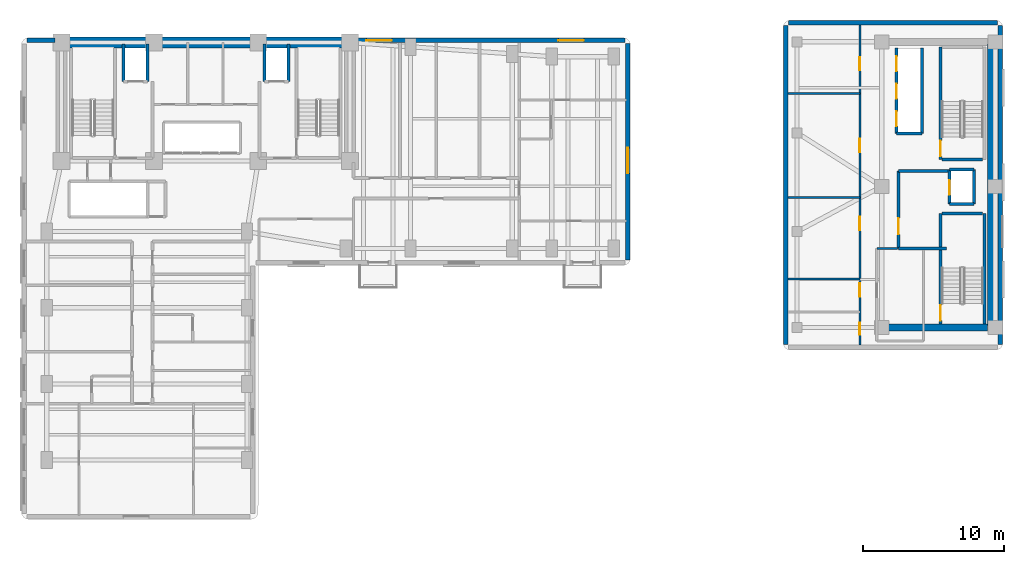
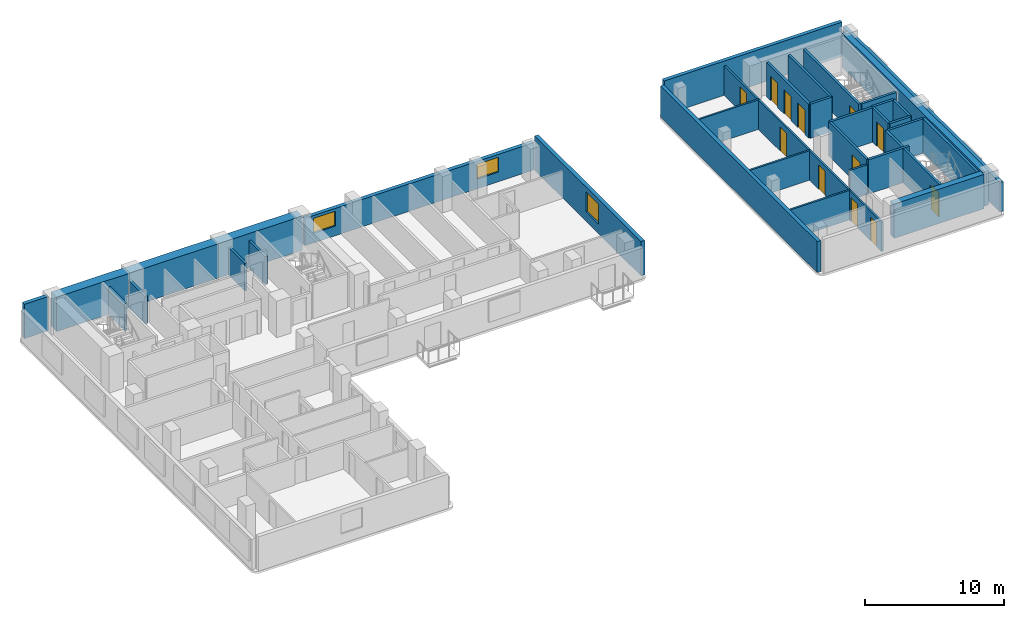
# One storey, part 6 of 10: 33 walls, 12 doors, 3 windows, 15 openings.
"""IFC4 building model written with IfcOpenShell, lengths in metres."""

from ifc_helpers import new_model, si_unit, direction, frame, frame_2d, origin, place, context, subcontext, project, spatial, rectangle, extrude, material, layer, layer_set, type_object, element, fill, save


model = new_model("IFC4")

# Units and contexts
model_context = context("Model", 3, precision=1e-05, world=origin(), true_north=direction((0.0, 1.0)))
body_context = subcontext(model_context, "Body", "Model", "MODEL_VIEW")
ifc_project = project(units=[si_unit("LENGTHUNIT", "METRE"), si_unit("AREAUNIT", "SQUARE_METRE"), si_unit("VOLUMEUNIT", "CUBIC_METRE"), si_unit("PLANEANGLEUNIT", "RADIAN"), si_unit("MASSUNIT", "GRAM", prefix="KILO")], contexts=[model_context])

# Site, building, storey
site_placement = place(None, origin())
site = spatial("IfcSite", under=ifc_project, at=site_placement, CompositionType="ELEMENT")
building_placement = place(site_placement, origin())
building = spatial("IfcBuilding", under=site, at=building_placement, Name="Kuzgunbayir Cultural Tower", CompositionType="ELEMENT")
storey_placement = place(building_placement, frame((0.0, 0.0, 93.0)))
storey = spatial("IfcBuildingStorey", under=building, at=storey_placement, Name="L26", CompositionType="ELEMENT", Elevation=93.0)

# Walls
ifc_material_1 = material(Name="Concrete C60/75", Category="concrete")
ifc_layer_1 = layer(ifc_material_1, 0.800048828125)
ifc_layer_set_1 = layer_set([ifc_layer_1], Name="Concrete C60/75")
wall_type_1 = type_object("IfcWallType", Name="WAL-CORE-800", PredefinedType="SHEAR", material=ifc_layer_set_1)
wall_1_placement = place(storey_placement, frame((6.449951171875, 42.199951171875, 0.0), z_axis=(0.0, 0.0, 1.0), x_axis=(1.0, 0.0, 0.0)))
element("IfcWall", 1, at=wall_1_placement, inside=storey, type_object=wall_type_1, Name="L26 T1 Core North Shear Wall", PredefinedType="SHEAR", context=body_context, shape_type="SweptSolid", body=[
    extrude(rectangle(XDim=20.449951171875, YDim=0.800048828125, at=frame_2d((10.22509765625, 0.0))), origin(), (0.0, 0.0, 1.0), 3.02001953125),
])
ifc_material_2 = material(Name="Anatolian Cream Limestone", Category="masonry")
ifc_layer_2 = layer(ifc_material_2, 0.300048828125)
ifc_layer_set_2 = layer_set([ifc_layer_2], Name="Anatolian Cream Limestone")
wall_type_2 = type_object("IfcWallType", Name="WAL-EXT-STONE-300", PredefinedType="STANDARD", material=ifc_layer_set_2)
wall_2_placement = place(storey_placement, frame((57.800048828125, 43.39990234375, 0.0), z_axis=(0.0, 0.0, 1.0), x_axis=(0.0, -1.0, 0.0)))
element("IfcWall", 2, at=wall_2_placement, inside=storey, type_object=wall_type_2, Name="L26 Companion West Limestone Wall", PredefinedType="STANDARD", context=body_context, shape_type="SweptSolid", body=[
    extrude(rectangle(XDim=22.599853515625, YDim=0.300048828125, at=frame_2d((11.2998046875, 0.0))), origin(), (0.0, 0.0, 1.0), 2.72998046875),
])
wall_3_placement = place(storey_placement, frame((73.0, 20.800048828125, 0.0), z_axis=(0.0, 0.0, 1.0), x_axis=(0.0, 1.0, 0.0)))
element("IfcWall", 3, at=wall_3_placement, inside=storey, type_object=wall_type_2, Name="L26 Companion East Limestone Wall", PredefinedType="STANDARD", context=body_context, shape_type="SweptSolid", body=[
    extrude(rectangle(XDim=22.599853515625, YDim=0.300048828125, at=frame_2d((11.2998046875, 0.0))), origin(), (0.0, 0.0, 1.0), 2.60009765625),
])
wall_4_placement = place(storey_placement, frame((72.800048828125, 43.60009765625, 0.0), z_axis=(0.0, 0.0, 1.0), x_axis=(-1.0, 0.0, 0.0)))
element("IfcWall", 4, at=wall_4_placement, inside=storey, type_object=wall_type_2, Name="L26 Companion North Limestone Wall", PredefinedType="STANDARD", context=body_context, shape_type="SweptSolid", body=[
    extrude(rectangle(XDim=14.800048828125, YDim=0.300048828125, at=frame_2d((7.39990234375, 0.0))), origin(), (0.0, 0.0, 1.0), 3.02001953125),
])

# Wall, openings, windows
ifc_material_3 = material(Name="Travertine Buff Ashlar", Category="masonry")
ifc_layer_3 = layer(ifc_material_3, 0.320068359375)
ifc_layer_set_3 = layer_set([ifc_layer_3], Name="Travertine Buff Ashlar")
wall_type_3 = type_object("IfcWallType", Name="WAL-EXT-STONE-320", PredefinedType="STANDARD", material=ifc_layer_set_3)
wall_5_placement = place(storey_placement, frame((46.39990234375, 42.35009765625, 0.0), z_axis=(0.0, 0.0, 1.0), x_axis=(-1.0, 0.0, 0.0)))
wall_5 = element("IfcWall", 5, at=wall_5_placement, inside=storey, type_object=wall_type_3, Name="L26 North Wing B Limestone Wall", PredefinedType="STANDARD", context=body_context, shape_type="SweptSolid", body=[
    extrude(rectangle(XDim=19.0498046875, YDim=0.320068359375, at=frame_2d((9.52490234375, 0.0))), origin(), (0.0, 0.0, 1.0), 2.409912109375),
])
opening_1_placement = place(wall_5_placement, frame((2.919921875, 0.0, 0.85009765625)))
opening_1 = element("IfcOpeningElement", 6, at=opening_1_placement, cuts=wall_5, Name="Opening WH-18", PredefinedType="OPENING", context=body_context, shape_type="SweptSolid", body=[
    extrude(rectangle(XDim=1.800048828125, YDim=1.31005859375, at=frame_2d((0.89990234375, 0.655029296875))), frame((0.0, 0.169921875, 0.0), z_axis=(0.0, -1.0, 0.0), x_axis=(1.0, 0.0, 0.0)), (0.0, 0.0, 1.0), 0.340087890625),
])
opening_2_placement = place(wall_5_placement, frame((16.530029296875, 0.0, 0.85009765625)))
opening_2 = element("IfcOpeningElement", 7, at=opening_2_placement, cuts=wall_5, Name="Opening WH-18", PredefinedType="OPENING", context=body_context, shape_type="SweptSolid", body=[
    extrude(rectangle(XDim=1.800048828125, YDim=1.31005859375, at=frame_2d((0.89990234375, 0.655029296875))), frame((0.0, 0.169921875, 0.0), z_axis=(0.0, -1.0, 0.0), x_axis=(1.0, 0.0, 0.0)), (0.0, 0.0, 1.0), 0.340087890625),
])
ifc_material_4 = material(Name="Solar-Control Triple Glazing", Category="glass")
window_type = type_object("IfcWindowType", Name="WIN-HOTEL-18", PartitioningType="SINGLE_PANEL", PredefinedType="WINDOW", material=ifc_material_4)
window_1_placement = place(opening_1_placement, origin())
window_1 = element("IfcWindow", 8, at=window_1_placement, inside=storey, type_object=window_type, Name="L26 CRN Facade Window 9", OverallHeight=1.31005859375, OverallWidth=1.800048828125, PartitioningType="SINGLE_PANEL", PredefinedType="WINDOW", context=body_context, shape_type="SweptSolid", body=[
    extrude(rectangle(XDim=1.800048828125, YDim=1.31005859375, at=frame_2d((0.89990234375, 0.655029296875))), frame((0.0, 0.030029296875, 0.0), z_axis=(0.0, -1.0, 0.0), x_axis=(1.0, 0.0, 0.0)), (0.0, 0.0, 1.0), 0.06005859375),
])
fill(opening_1, window_1)
window_2_placement = place(opening_2_placement, origin())
window_2 = element("IfcWindow", 9, at=window_2_placement, inside=storey, type_object=window_type, Name="L26 CRN Facade Window 10", OverallHeight=1.31005859375, OverallWidth=1.800048828125, PartitioningType="SINGLE_PANEL", PredefinedType="WINDOW", context=body_context, shape_type="SweptSolid", body=[
    extrude(rectangle(XDim=1.800048828125, YDim=1.31005859375, at=frame_2d((0.89990234375, 0.655029296875))), frame((0.0, 0.030029296875, 0.0), z_axis=(0.0, -1.0, 0.0), x_axis=(1.0, 0.0, 0.0)), (0.0, 0.0, 1.0), 0.06005859375),
])
fill(opening_2, window_2)

# Wall
wall_6_placement = place(storey_placement, frame((6.0, 42.35009765625, 0.0), z_axis=(0.0, 0.0, 1.0), x_axis=(-1.0, 0.0, 0.0)))
element("IfcWall", 10, at=wall_6_placement, inside=storey, type_object=wall_type_3, Name="L26 Core North-West Spandrel Link", PredefinedType="STANDARD", context=body_context, shape_type="SweptSolid", body=[
    extrude(rectangle(XDim=2.0, YDim=0.320068359375, at=frame_2d((1.0, 0.0))), origin(), (0.0, 0.0, 1.0), 3.02001953125),
])

# Wall, opening, window
wall_7_placement = place(storey_placement, frame((46.60009765625, 26.800048828125, 0.0), z_axis=(0.0, 0.0, 1.0), x_axis=(0.0, 1.0, 0.0)))
wall_7 = element("IfcWall", 11, at=wall_7_placement, inside=storey, type_object=wall_type_3, Name="L26 Wing B East Limestone Wall", PredefinedType="STANDARD", context=body_context, shape_type="SweptSolid", body=[
    extrude(rectangle(XDim=15.349853515625, YDim=0.320068359375, at=frame_2d((7.6748046875, 0.0))), origin(), (0.0, 0.0, 1.0), 3.02001953125),
])
opening_3_placement = place(wall_7_placement, frame((6.1298828125, 0.0, 0.85009765625)))
opening_3 = element("IfcOpeningElement", 12, at=opening_3_placement, cuts=wall_7, Name="Opening WH-18", PredefinedType="OPENING", context=body_context, shape_type="SweptSolid", body=[
    extrude(rectangle(XDim=1.800048828125, YDim=1.75, at=frame_2d((0.89990234375, 0.875))), frame((0.0, 0.169921875, 0.0), z_axis=(0.0, -1.0, 0.0), x_axis=(1.0, 0.0, 0.0)), (0.0, 0.0, 1.0), 0.340087890625),
])
window_3_placement = place(opening_3_placement, origin())
window_3 = element("IfcWindow", 13, at=window_3_placement, inside=storey, type_object=window_type, Name="L26 WBE Facade Window 8", OverallHeight=1.75, OverallWidth=1.800048828125, PartitioningType="SINGLE_PANEL", PredefinedType="WINDOW", context=body_context, shape_type="SweptSolid", body=[
    extrude(rectangle(XDim=1.800048828125, YDim=1.75, at=frame_2d((0.89990234375, 0.875))), frame((0.0, 0.030029296875, 0.0), z_axis=(0.0, -1.0, 0.0), x_axis=(1.0, 0.0, 0.0)), (0.0, 0.0, 1.0), 0.06005859375),
])
fill(opening_3, window_3)

# Wall
ifc_material_5 = material(Name="Acoustic Double-Stud Drywall", Category="gypsum")
ifc_layer_4 = layer(ifc_material_5, 0.14990234375)
ifc_layer_set_4 = layer_set([ifc_layer_4], Name="Acoustic Double-Stud Drywall")
wall_type_4 = type_object("IfcWallType", Name="WAL-PART-ACOUSTIC-150", PredefinedType="PARTITIONING", material=ifc_layer_set_4)
wall_8_placement = place(storey_placement, frame((64.25, 27.60009765625, 0.0), z_axis=(0.0, 0.0, 1.0), x_axis=(1.0, 0.0, 0.0)))
element("IfcWall", 14, at=wall_8_placement, inside=storey, type_object=wall_type_4, Name="L26 Companion Archive North Wall", PredefinedType="PARTITIONING", context=body_context, shape_type="SweptSolid", body=[
    extrude(rectangle(XDim=1.469970703125, YDim=0.14990234375, at=frame_2d((0.73486328125, 0.0))), origin(), (0.0, 0.0, 1.0), 2.60009765625),
])

# Wall, openings, doors
wall_9_placement = place(storey_placement, frame((63.050048828125, 20.75, 0.0), z_axis=(0.0, 0.0, 1.0), x_axis=(0.0, 1.0, 0.0)))
wall_9 = element("IfcWall", 15, at=wall_9_placement, inside=storey, type_object=wall_type_4, Name="L26 Companion Corridor West Wall", PredefinedType="PARTITIONING", context=body_context, shape_type="SweptSolid", body=[
    extrude(rectangle(XDim=22.699951171875, YDim=0.14990234375, at=frame_2d((11.35009765625, 0.0))), origin(), (0.0, 0.0, 1.0), 2.60009765625),
])
opening_4_placement = place(wall_9_placement, frame((0.72998046875, 0.0, 0.0)))
opening_4 = element("IfcOpeningElement", 16, at=opening_4_placement, cuts=wall_9, Name="Opening DW-85", PredefinedType="OPENING", context=body_context, shape_type="SweptSolid", body=[
    extrude(rectangle(XDim=0.85009765625, YDim=2.10009765625, at=frame_2d((0.425048828125, 1.050048828125))), frame((0.0, 0.0849609375, 0.0), z_axis=(0.0, -1.0, 0.0), x_axis=(1.0, 0.0, 0.0)), (0.0, 0.0, 1.0), 0.169921875),
])
opening_5_placement = place(wall_9_placement, frame((3.429931640625, 0.0, 0.0)))
opening_5 = element("IfcOpeningElement", 17, at=opening_5_placement, cuts=wall_9, Name="Opening DW-95", PredefinedType="OPENING", context=body_context, shape_type="SweptSolid", body=[
    extrude(rectangle(XDim=0.949951171875, YDim=2.10009765625, at=frame_2d((0.47509765625, 1.050048828125))), frame((0.0, 0.0849609375, 0.0), z_axis=(0.0, -1.0, 0.0), x_axis=(1.0, 0.0, 0.0)), (0.0, 0.0, 1.0), 0.169921875),
])
opening_6_placement = place(wall_9_placement, frame((8.14990234375, 0.0, 0.0)))
opening_6 = element("IfcOpeningElement", 18, at=opening_6_placement, cuts=wall_9, Name="Opening DI-90", PredefinedType="OPENING", context=body_context, shape_type="SweptSolid", body=[
    extrude(rectangle(XDim=0.949951171875, YDim=2.14990234375, at=frame_2d((0.47509765625, 1.074951171875))), frame((0.0, 0.0849609375, 0.0), z_axis=(0.0, -1.0, 0.0), x_axis=(1.0, 0.0, 0.0)), (0.0, 0.0, 1.0), 0.169921875),
])
opening_7_placement = place(wall_9_placement, frame((13.669921875, 0.0, 0.0)))
opening_7 = element("IfcOpeningElement", 19, at=opening_7_placement, cuts=wall_9, Name="Opening DI-90", PredefinedType="OPENING", context=body_context, shape_type="SweptSolid", body=[
    extrude(rectangle(XDim=0.949951171875, YDim=2.14990234375, at=frame_2d((0.47509765625, 1.074951171875))), frame((0.0, 0.0849609375, 0.0), z_axis=(0.0, -1.0, 0.0), x_axis=(1.0, 0.0, 0.0)), (0.0, 0.0, 1.0), 0.169921875),
])
opening_8_placement = place(wall_9_placement, frame((19.469970703125, 0.0, 0.0)))
opening_8 = element("IfcOpeningElement", 20, at=opening_8_placement, cuts=wall_9, Name="Opening DI-90", PredefinedType="OPENING", context=body_context, shape_type="SweptSolid", body=[
    extrude(rectangle(XDim=0.949951171875, YDim=2.14990234375, at=frame_2d((0.47509765625, 1.074951171875))), frame((0.0, 0.0849609375, 0.0), z_axis=(0.0, -1.0, 0.0), x_axis=(1.0, 0.0, 0.0)), (0.0, 0.0, 1.0), 0.169921875),
])
ifc_material_6 = material(Name="Veneered Oak Single Leaf", Category="wood")
door_type_1 = type_object("IfcDoorType", Name="DR-INT-90", OperationType="NOTDEFINED", PredefinedType="DOOR", material=ifc_material_6)
door_1_placement = place(opening_6_placement, origin())
door_1 = element("IfcDoor", 21, at=door_1_placement, inside=storey, type_object=door_type_1, Name="L26 Companion Wellness Consultation Studio 1 Door", OperationType="SINGLE_SWING_LEFT", OverallHeight=2.14990234375, OverallWidth=0.949951171875, PredefinedType="DOOR", context=body_context, shape_type="SweptSolid", body=[
    extrude(rectangle(XDim=0.949951171875, YDim=2.14990234375, at=frame_2d((0.47509765625, 1.074951171875))), frame((0.0, 0.02490234375, 0.0), z_axis=(0.0, -1.0, 0.0), x_axis=(1.0, 0.0, 0.0)), (0.0, 0.0, 1.0), 0.050048828125),
])
fill(opening_6, door_1)
door_2_placement = place(opening_7_placement, origin())
door_2 = element("IfcDoor", 22, at=door_2_placement, inside=storey, type_object=door_type_1, Name="L26 Companion Fellows Reading Lounge 2 Door", OperationType="SINGLE_SWING_RIGHT", OverallHeight=2.14990234375, OverallWidth=0.949951171875, PredefinedType="DOOR", context=body_context, shape_type="SweptSolid", body=[
    extrude(rectangle(XDim=0.949951171875, YDim=2.14990234375, at=frame_2d((0.47509765625, 1.074951171875))), frame((0.0, 0.02490234375, 0.0), z_axis=(0.0, -1.0, 0.0), x_axis=(1.0, 0.0, 0.0)), (0.0, 0.0, 1.0), 0.050048828125),
])
fill(opening_7, door_2)
door_3_placement = place(opening_8_placement, origin())
door_3 = element("IfcDoor", 23, at=door_3_placement, inside=storey, type_object=door_type_1, Name="L26 Companion Curatorial Office 3 Door", OperationType="SINGLE_SWING_LEFT", OverallHeight=2.14990234375, OverallWidth=0.949951171875, PredefinedType="DOOR", context=body_context, shape_type="SweptSolid", body=[
    extrude(rectangle(XDim=0.949951171875, YDim=2.14990234375, at=frame_2d((0.47509765625, 1.074951171875))), frame((0.0, 0.02490234375, 0.0), z_axis=(0.0, -1.0, 0.0), x_axis=(1.0, 0.0, 0.0)), (0.0, 0.0, 1.0), 0.050048828125),
])
fill(opening_8, door_3)
ifc_material_7 = material(Name="Laminate Moisture-Resistant Leaf", Category="wood")
door_type_2 = type_object("IfcDoorType", Name="DR-WET-85", OperationType="NOTDEFINED", PredefinedType="DOOR", material=ifc_material_7)
door_4_placement = place(opening_4_placement, origin())
door_4 = element("IfcDoor", 24, at=door_4_placement, inside=storey, type_object=door_type_2, Name="L26 Companion WC Door", OperationType="SINGLE_SWING_LEFT", OverallHeight=2.10009765625, OverallWidth=0.85009765625, PredefinedType="DOOR", context=body_context, shape_type="SweptSolid", body=[
    extrude(rectangle(XDim=0.85009765625, YDim=2.10009765625, at=frame_2d((0.425048828125, 1.050048828125))), frame((0.0, 0.02490234375, 0.0), z_axis=(0.0, -1.0, 0.0), x_axis=(1.0, 0.0, 0.0)), (0.0, 0.0, 1.0), 0.050048828125),
])
fill(opening_4, door_4)
door_type_3 = type_object("IfcDoorType", Name="DR-WET-95", OperationType="NOTDEFINED", PredefinedType="DOOR", material=ifc_material_7)
door_5_placement = place(opening_5_placement, origin())
door_5 = element("IfcDoor", 25, at=door_5_placement, inside=storey, type_object=door_type_3, Name="L26 Companion Accessible WC Door", OperationType="SINGLE_SWING_RIGHT", OverallHeight=2.10009765625, OverallWidth=0.949951171875, PredefinedType="DOOR", context=body_context, shape_type="SweptSolid", body=[
    extrude(rectangle(XDim=0.949951171875, YDim=2.10009765625, at=frame_2d((0.47509765625, 1.050048828125))), frame((0.0, 0.02490234375, 0.0), z_axis=(0.0, -1.0, 0.0), x_axis=(1.0, 0.0, 0.0)), (0.0, 0.0, 1.0), 0.050048828125),
])
fill(opening_5, door_5)

# Walls
for number, where, z_axis, x_axis, name in (
    (26, (57.949951171875, 31.2099609375, 0.0), (0.0, 0.0, 1.0), (1.0, 0.0, 0.0), "L26 Companion Studio Partition 1"),
    (27, (57.949951171875, 38.590087890625, 0.0), (0.0, 0.0, 1.0), (1.0, 0.0, 0.0), "L26 Companion Studio Partition 2"),
):
    element("IfcWall", number, at=place(storey_placement, frame(where, z_axis=z_axis, x_axis=x_axis)), inside=storey, type_object=wall_type_4, Name=name, PredefinedType="PARTITIONING", context=body_context, shape_type="SweptSolid", body=[
        extrude(rectangle(XDim=5.10009765625, YDim=0.14990234375, at=frame_2d((2.550048828125, 0.0))), origin(), (0.0, 0.0, 1.0), 2.60009765625),
    ])

# Wall, opening, door
ifc_material_8 = material(Name="Aerated Concrete Blockwork", Category="masonry")
ifc_layer_5 = layer(ifc_material_8, 0.199951171875)
ifc_layer_set_5 = layer_set([ifc_layer_5], Name="Aerated Concrete Blockwork")
wall_type_5 = type_object("IfcWallType", Name="WAL-PART-FIRE-200", PredefinedType="PARTITIONING", material=ifc_layer_set_5)
wall_10_placement = place(storey_placement, frame((65.800048828125, 27.60009765625, 0.0), z_axis=(0.0, 0.0, 1.0), x_axis=(0.0, 1.0, 0.0)))
wall_10 = element("IfcWall", 28, at=wall_10_placement, inside=storey, type_object=wall_type_5, Name="L26 FFL-3 Lobby West Fire Wall", PredefinedType="PARTITIONING", context=body_context, shape_type="SweptSolid", body=[
    extrude(rectangle(XDim=5.5, YDim=0.199951171875, at=frame_2d((2.75, 0.0))), origin(), (0.0, 0.0, 1.0), 3.02001953125),
])
opening_9_placement = place(wall_10_placement, frame((1.0, 0.0, 0.0)))
opening_9 = element("IfcOpeningElement", 29, at=opening_9_placement, cuts=wall_10, Name="Opening DR-FFL-90", PredefinedType="OPENING", context=body_context, shape_type="SweptSolid", body=[
    extrude(rectangle(XDim=1.14990234375, YDim=2.14990234375, at=frame_2d((0.574951171875, 1.074951171875))), frame((0.0, 0.10986328125, 0.0), z_axis=(0.0, -1.0, 0.0), x_axis=(1.0, 0.0, 0.0)), (0.0, 0.0, 1.0), 0.219970703125),
])
ifc_material_9 = material(Name="Steel S355J2", Category="steel")
door_type_4 = type_object("IfcDoorType", Name="DR-FFL-90", OperationType="NOTDEFINED", PredefinedType="DOOR", material=ifc_material_9)
door_6_placement = place(opening_9_placement, origin())
door_6 = element("IfcDoor", 30, at=door_6_placement, inside=storey, type_object=door_type_4, Name="L26 Firefighting Lobby 3 Door", OperationType="SINGLE_SWING_LEFT", OverallHeight=2.14990234375, OverallWidth=1.14990234375, PredefinedType="DOOR", context=body_context, shape_type="SweptSolid", body=[
    extrude(rectangle(XDim=1.14990234375, YDim=2.14990234375, at=frame_2d((0.574951171875, 1.074951171875))), frame((0.0, 0.02490234375, 0.0), z_axis=(0.0, -1.0, 0.0), x_axis=(1.0, 0.0, 0.0)), (0.0, 0.0, 1.0), 0.050048828125),
])
fill(opening_9, door_6)

# Walls
wall_11_placement = place(storey_placement, frame((65.800048828125, 33.10009765625, 0.0), z_axis=(0.0, 0.0, 1.0), x_axis=(1.0, 0.0, 0.0)))
element("IfcWall", 31, at=wall_11_placement, inside=storey, type_object=wall_type_5, Name="L26 FFL-3 Lobby North Fire Wall", PredefinedType="PARTITIONING", context=body_context, shape_type="SweptSolid", body=[
    extrude(rectangle(XDim=3.599853515625, YDim=0.199951171875, at=frame_2d((1.7998046875, 0.0))), origin(), (0.0, 0.0, 1.0), 3.02001953125),
])
wall_12_placement = place(storey_placement, frame((65.800048828125, 27.60009765625, 0.0), z_axis=(0.0, 0.0, 1.0), x_axis=(1.0, 0.0, 0.0)))
element("IfcWall", 32, at=wall_12_placement, inside=storey, type_object=wall_type_5, Name="L26 FFL-3 Lobby South Fire Wall", PredefinedType="PARTITIONING", context=body_context, shape_type="SweptSolid", body=[
    extrude(rectangle(XDim=3.39990234375, YDim=0.199951171875, at=frame_2d((1.699951171875, 0.0))), origin(), (0.0, 0.0, 1.0), 3.02001953125),
])
ifc_material_10 = material(Name="Moisture-Resistant Tile Partition", Category="gypsum")
ifc_layer_6 = layer(ifc_material_10, 0.14990234375)
ifc_layer_set_6 = layer_set([ifc_layer_6], Name="Moisture-Resistant Tile Partition")
wall_type_6 = type_object("IfcWallType", Name="WAL-PART-WET-150", PredefinedType="PARTITIONING", material=ifc_layer_set_6)
wall_13_placement = place(storey_placement, frame((57.949951171875, 25.449951171875, 0.0), z_axis=(0.0, 0.0, 1.0), x_axis=(1.0, 0.0, 0.0)))
element("IfcWall", 33, at=wall_13_placement, inside=storey, type_object=wall_type_6, Name="L26 Companion Accessible WC Wall", PredefinedType="PARTITIONING", context=body_context, shape_type="SweptSolid", body=[
    extrude(rectangle(XDim=5.10009765625, YDim=0.14990234375, at=frame_2d((2.550048828125, 0.0))), origin(), (0.0, 0.0, 1.0), 2.60009765625),
])
ifc_material_11 = material(Name="Concrete C40/50", Category="concrete")
ifc_layer_7 = layer(ifc_material_11, 0.199951171875)
ifc_layer_set_7 = layer_set([ifc_layer_7], Name="Concrete C40/50")
wall_type_7 = type_object("IfcWallType", Name="WAL-SHAFT-200", PredefinedType="MOVABLE", material=ifc_layer_set_7)
for number, where, z_axis, x_axis, name in (
    (34, (10.85009765625, 39.449951171875, 0.0), (0.0, 0.0, 1.0), (0.0, 1.0, 0.0), "L26 FFL-1 Shaft West Wall"),
    (35, (12.550048828125, 39.449951171875, 0.0), (0.0, 0.0, 1.0), (0.0, 1.0, 0.0), "L26 FFL-1 Shaft East Wall"),
    (36, (20.85009765625, 39.449951171875, 0.0), (0.0, 0.0, 1.0), (0.0, 1.0, 0.0), "L26 FFL-2 Shaft West Wall"),
    (37, (22.550048828125, 39.449951171875, 0.0), (0.0, 0.0, 1.0), (0.0, 1.0, 0.0), "L26 FFL-2 Shaft East Wall"),
):
    element("IfcWall", number, at=place(storey_placement, frame(where, z_axis=z_axis, x_axis=x_axis)), inside=storey, type_object=wall_type_7, Name=name, PredefinedType="MOVABLE", context=body_context, shape_type="SweptSolid", body=[
        extrude(rectangle(XDim=2.650146484375, YDim=0.199951171875, at=frame_2d((1.3251953125, 0.0))), origin(), (0.0, 0.0, 1.0), 2.409912109375),
    ])

# Wall, openings, doors
wall_14_placement = place(storey_placement, frame((65.64990234375, 35.75, 0.0), z_axis=(0.0, 0.0, 1.0), x_axis=(0.0, 1.0, 0.0)))
wall_14 = element("IfcWall", 38, at=wall_14_placement, inside=storey, type_object=wall_type_7, Name="L26 Companion Lift Front Wall", PredefinedType="MOVABLE", context=body_context, shape_type="SweptSolid", body=[
    extrude(rectangle(XDim=6.050048828125, YDim=0.199951171875, at=frame_2d((3.02490234375, 0.0))), origin(), (0.0, 0.0, 1.0), 3.02001953125),
])
opening_10_placement = place(wall_14_placement, frame((0.52001953125, 0.0, 0.0)))
opening_10 = element("IfcOpeningElement", 39, at=opening_10_placement, cuts=wall_14, Name="Opening LD", PredefinedType="OPENING", context=body_context, shape_type="SweptSolid", body=[
    extrude(rectangle(XDim=1.050048828125, YDim=2.14990234375, at=frame_2d((0.52490234375, 1.074951171875))), frame((0.0, 0.10986328125, 0.0), z_axis=(0.0, -1.0, 0.0), x_axis=(1.0, 0.0, 0.0)), (0.0, 0.0, 1.0), 0.219970703125),
])
opening_11_placement = place(wall_14_placement, frame((2.47998046875, 0.0, 0.0)))
opening_11 = element("IfcOpeningElement", 40, at=opening_11_placement, cuts=wall_14, Name="Opening LD", PredefinedType="OPENING", context=body_context, shape_type="SweptSolid", body=[
    extrude(rectangle(XDim=1.050048828125, YDim=2.14990234375, at=frame_2d((0.52490234375, 1.074951171875))), frame((0.0, 0.10986328125, 0.0), z_axis=(0.0, -1.0, 0.0), x_axis=(1.0, 0.0, 0.0)), (0.0, 0.0, 1.0), 0.219970703125),
])
opening_12_placement = place(wall_14_placement, frame((4.429931640625, 0.0, 0.0)))
opening_12 = element("IfcOpeningElement", 41, at=opening_12_placement, cuts=wall_14, Name="Opening LD", PredefinedType="OPENING", context=body_context, shape_type="SweptSolid", body=[
    extrude(rectangle(XDim=1.050048828125, YDim=2.14990234375, at=frame_2d((0.52490234375, 1.074951171875))), frame((0.0, 0.10986328125, 0.0), z_axis=(0.0, -1.0, 0.0), x_axis=(1.0, 0.0, 0.0)), (0.0, 0.0, 1.0), 0.219970703125),
])
ifc_material_12 = material(Name="Brushed Stainless Steel", Category="steel")
door_type_5 = type_object("IfcDoorType", Name="DR-LIFT-LANDING", OperationType="SLIDING_TO_LEFT", PredefinedType="DOOR", material=ifc_material_12)
door_7_placement = place(opening_10_placement, origin())
door_7 = element("IfcDoor", 42, at=door_7_placement, inside=storey, type_object=door_type_5, Name="L26 Lift PC-1 Landing Door", OperationType="SLIDING_TO_LEFT", OverallHeight=2.14990234375, OverallWidth=1.050048828125, PredefinedType="DOOR", context=body_context, shape_type="SweptSolid", body=[
    extrude(rectangle(XDim=1.050048828125, YDim=2.14990234375, at=frame_2d((0.52490234375, 1.074951171875))), frame((0.0, 0.02490234375, 0.0), z_axis=(0.0, -1.0, 0.0), x_axis=(1.0, 0.0, 0.0)), (0.0, 0.0, 1.0), 0.050048828125),
])
fill(opening_10, door_7)
door_8_placement = place(opening_11_placement, origin())
door_8 = element("IfcDoor", 43, at=door_8_placement, inside=storey, type_object=door_type_5, Name="L26 Lift PC-2 Landing Door", OperationType="SLIDING_TO_LEFT", OverallHeight=2.14990234375, OverallWidth=1.050048828125, PredefinedType="DOOR", context=body_context, shape_type="SweptSolid", body=[
    extrude(rectangle(XDim=1.050048828125, YDim=2.14990234375, at=frame_2d((0.52490234375, 1.074951171875))), frame((0.0, 0.02490234375, 0.0), z_axis=(0.0, -1.0, 0.0), x_axis=(1.0, 0.0, 0.0)), (0.0, 0.0, 1.0), 0.050048828125),
])
fill(opening_11, door_8)
door_9_placement = place(opening_12_placement, origin())
door_9 = element("IfcDoor", 44, at=door_9_placement, inside=storey, type_object=door_type_5, Name="L26 Lift PC-3 Landing Door", OperationType="SLIDING_TO_LEFT", OverallHeight=2.14990234375, OverallWidth=1.050048828125, PredefinedType="DOOR", context=body_context, shape_type="SweptSolid", body=[
    extrude(rectangle(XDim=1.050048828125, YDim=2.14990234375, at=frame_2d((0.52490234375, 1.074951171875))), frame((0.0, 0.02490234375, 0.0), z_axis=(0.0, -1.0, 0.0), x_axis=(1.0, 0.0, 0.0)), (0.0, 0.0, 1.0), 0.050048828125),
])
fill(opening_12, door_9)

# Walls
wall_15_placement = place(storey_placement, frame((67.449951171875, 35.75, 0.0), z_axis=(0.0, 0.0, 1.0), x_axis=(0.0, 1.0, 0.0)))
element("IfcWall", 45, at=wall_15_placement, inside=storey, type_object=wall_type_7, Name="L26 Companion Lift Shaft Back Wall", PredefinedType="MOVABLE", context=body_context, shape_type="SweptSolid", body=[
    extrude(rectangle(XDim=6.050048828125, YDim=0.199951171875, at=frame_2d((3.02490234375, 0.0))), origin(), (0.0, 0.0, 1.0), 3.02001953125),
])
wall_16_placement = place(storey_placement, frame((65.64990234375, 35.75, 0.0), z_axis=(0.0, 0.0, 1.0), x_axis=(1.0, 0.0, 0.0)))
element("IfcWall", 46, at=wall_16_placement, inside=storey, type_object=wall_type_7, Name="L26 Companion Lift Shaft South Wall", PredefinedType="MOVABLE", context=body_context, shape_type="SweptSolid", body=[
    extrude(rectangle(XDim=1.800048828125, YDim=0.199951171875, at=frame_2d((0.89990234375, 0.0))), origin(), (0.0, 0.0, 1.0), 3.02001953125),
])

# Wall, opening, door
wall_17_placement = place(storey_placement, frame((69.39990234375, 30.75, 0.0), z_axis=(0.0, 0.0, 1.0), x_axis=(0.0, 1.0, 0.0)))
wall_17 = element("IfcWall", 47, at=wall_17_placement, inside=storey, type_object=wall_type_7, Name="L26 FFL-3 Lift Front Wall", PredefinedType="MOVABLE", context=body_context, shape_type="SweptSolid", body=[
    extrude(rectangle(XDim=2.449951171875, YDim=0.199951171875, at=frame_2d((1.22509765625, 0.0))), origin(), (0.0, 0.0, 1.0), 3.02001953125),
])
opening_13_placement = place(wall_17_placement, frame((0.64990234375, 0.0, 0.0)))
opening_13 = element("IfcOpeningElement", 48, at=opening_13_placement, cuts=wall_17, Name="Opening LD", PredefinedType="OPENING", context=body_context, shape_type="SweptSolid", body=[
    extrude(rectangle(XDim=1.050048828125, YDim=2.14990234375, at=frame_2d((0.52490234375, 1.074951171875))), frame((0.0, 0.10986328125, 0.0), z_axis=(0.0, -1.0, 0.0), x_axis=(1.0, 0.0, 0.0)), (0.0, 0.0, 1.0), 0.219970703125),
])
door_10_placement = place(opening_13_placement, origin())
door_10 = element("IfcDoor", 49, at=door_10_placement, inside=storey, type_object=door_type_5, Name="L26 Lift FFL-3 Landing Door", OperationType="SLIDING_TO_LEFT", OverallHeight=2.14990234375, OverallWidth=1.050048828125, PredefinedType="DOOR", context=body_context, shape_type="SweptSolid", body=[
    extrude(rectangle(XDim=1.050048828125, YDim=2.14990234375, at=frame_2d((0.52490234375, 1.074951171875))), frame((0.0, 0.02490234375, 0.0), z_axis=(0.0, -1.0, 0.0), x_axis=(1.0, 0.0, 0.0)), (0.0, 0.0, 1.0), 0.050048828125),
])
fill(opening_13, door_10)

# Walls
wall_18_placement = place(storey_placement, frame((71.14990234375, 30.75, 0.0), z_axis=(0.0, 0.0, 1.0), x_axis=(0.0, 1.0, 0.0)))
element("IfcWall", 50, at=wall_18_placement, inside=storey, type_object=wall_type_7, Name="L26 FFL-3 Shaft Back Wall", PredefinedType="MOVABLE", context=body_context, shape_type="SweptSolid", body=[
    extrude(rectangle(XDim=2.449951171875, YDim=0.199951171875, at=frame_2d((1.22509765625, 0.0))), origin(), (0.0, 0.0, 1.0), 3.02001953125),
])
for number, where, z_axis, x_axis, name in (
    (51, (69.39990234375, 33.199951171875, 0.0), (0.0, 0.0, 1.0), (1.0, 0.0, 0.0), "L26 FFL-3 Shaft North Wall"),
    (52, (69.39990234375, 30.75, 0.0), (0.0, 0.0, 1.0), (1.0, 0.0, 0.0), "L26 FFL-3 Shaft South Wall"),
):
    element("IfcWall", number, at=place(storey_placement, frame(where, z_axis=z_axis, x_axis=x_axis)), inside=storey, type_object=wall_type_7, Name=name, PredefinedType="MOVABLE", context=body_context, shape_type="SweptSolid", body=[
        extrude(rectangle(XDim=1.75, YDim=0.199951171875, at=frame_2d((0.875, 0.0))), origin(), (0.0, 0.0, 1.0), 3.02001953125),
    ])

# Wall, opening, door
ifc_layer_8 = layer(ifc_material_11, 0.199951171875)
ifc_layer_set_8 = layer_set([ifc_layer_8], Name="Concrete C40/50")
wall_type_8 = type_object("IfcWallType", Name="WAL-STAIR-RC-200", PredefinedType="SHEAR", material=ifc_layer_set_8)
wall_19_placement = place(storey_placement, frame((68.760009765625, 22.260009765625, 0.0), z_axis=(0.0, 0.0, 1.0), x_axis=(0.0, 1.0, 0.0)))
wall_19 = element("IfcWall", 53, at=wall_19_placement, inside=storey, type_object=wall_type_8, Name="L26 Stair ST-3 West Structural Wall", PredefinedType="SHEAR", context=body_context, shape_type="SweptSolid", body=[
    extrude(rectangle(XDim=7.820068359375, YDim=0.199951171875, at=frame_2d((3.91015625, 0.0))), origin(), (0.0, 0.0, 1.0), 3.02001953125),
])
opening_14_placement = place(wall_19_placement, frame((0.219970703125, 0.0, 0.0)))
opening_14 = element("IfcOpeningElement", 54, at=opening_14_placement, cuts=wall_19, Name="Opening DR-STAIR-90", PredefinedType="OPENING", context=body_context, shape_type="SweptSolid", body=[
    extrude(rectangle(XDim=1.10009765625, YDim=2.14990234375, at=frame_2d((0.550048828125, 1.074951171875))), frame((0.0, 0.10986328125, 0.0), z_axis=(0.0, -1.0, 0.0), x_axis=(1.0, 0.0, 0.0)), (0.0, 0.0, 1.0), 0.219970703125),
])
door_type_6 = type_object("IfcDoorType", Name="DR-STAIR-90", OperationType="NOTDEFINED", PredefinedType="DOOR", material=ifc_material_9)
door_11_placement = place(opening_14_placement, origin())
door_11 = element("IfcDoor", 55, at=door_11_placement, inside=storey, type_object=door_type_6, Name="L26 Stair ST-3 Fire Door", OperationType="SINGLE_SWING_RIGHT", OverallHeight=2.14990234375, OverallWidth=1.10009765625, PredefinedType="DOOR", context=body_context, shape_type="SweptSolid", body=[
    extrude(rectangle(XDim=1.10009765625, YDim=2.14990234375, at=frame_2d((0.550048828125, 1.074951171875))), frame((0.0, 0.02490234375, 0.0), z_axis=(0.0, -1.0, 0.0), x_axis=(1.0, 0.0, 0.0)), (0.0, 0.0, 1.0), 0.050048828125),
])
fill(opening_14, door_11)

# Walls
wall_20_placement = place(storey_placement, frame((71.8798828125, 22.260009765625, 0.0), z_axis=(0.0, 0.0, 1.0), x_axis=(0.0, 1.0, 0.0)))
element("IfcWall", 56, at=wall_20_placement, inside=storey, type_object=wall_type_8, Name="L26 Stair ST-3 East Structural Wall", PredefinedType="SHEAR", context=body_context, shape_type="SweptSolid", body=[
    extrude(rectangle(XDim=7.820068359375, YDim=0.199951171875, at=frame_2d((3.91015625, 0.0))), origin(), (0.0, 0.0, 1.0), 3.02001953125),
])
wall_21_placement = place(storey_placement, frame((68.8798828125, 30.080078125, 0.0), z_axis=(0.0, 0.0, 1.0), x_axis=(1.0, 0.0, 0.0)))
element("IfcWall", 57, at=wall_21_placement, inside=storey, type_object=wall_type_8, Name="L26 Stair ST-3 North Structural Wall", PredefinedType="SHEAR", context=body_context, shape_type="SweptSolid", body=[
    extrude(rectangle(XDim=2.880126953125, YDim=0.199951171875, at=frame_2d((1.43994140625, 0.0))), origin(), (0.0, 0.0, 1.0), 3.02001953125),
])

# Wall, opening, door
wall_22_placement = place(storey_placement, frame((68.760009765625, 33.919921875, 0.0), z_axis=(0.0, 0.0, 1.0), x_axis=(0.0, 1.0, 0.0)))
wall_22 = element("IfcWall", 58, at=wall_22_placement, inside=storey, type_object=wall_type_8, Name="L26 Stair ST-4 West Structural Wall", PredefinedType="SHEAR", context=body_context, shape_type="SweptSolid", body=[
    extrude(rectangle(XDim=7.9599609375, YDim=0.199951171875, at=frame_2d((3.97998046875, 0.0))), origin(), (0.0, 0.0, 1.0), 3.02001953125),
])
opening_15_placement = place(wall_22_placement, frame((0.219970703125, 0.0, 0.0)))
opening_15 = element("IfcOpeningElement", 59, at=opening_15_placement, cuts=wall_22, Name="Opening DR-STAIR-90", PredefinedType="OPENING", context=body_context, shape_type="SweptSolid", body=[
    extrude(rectangle(XDim=1.10009765625, YDim=2.14990234375, at=frame_2d((0.550048828125, 1.074951171875))), frame((0.0, 0.10986328125, 0.0), z_axis=(0.0, -1.0, 0.0), x_axis=(1.0, 0.0, 0.0)), (0.0, 0.0, 1.0), 0.219970703125),
])
door_12_placement = place(opening_15_placement, origin())
door_12 = element("IfcDoor", 60, at=door_12_placement, inside=storey, type_object=door_type_6, Name="L26 Stair ST-4 Fire Door", OperationType="SINGLE_SWING_LEFT", OverallHeight=2.14990234375, OverallWidth=1.10009765625, PredefinedType="DOOR", context=body_context, shape_type="SweptSolid", body=[
    extrude(rectangle(XDim=1.10009765625, YDim=2.14990234375, at=frame_2d((0.550048828125, 1.074951171875))), frame((0.0, 0.02490234375, 0.0), z_axis=(0.0, -1.0, 0.0), x_axis=(1.0, 0.0, 0.0)), (0.0, 0.0, 1.0), 0.050048828125),
])
fill(opening_15, door_12)

# Walls
wall_23_placement = place(storey_placement, frame((68.8798828125, 33.919921875, 0.0), z_axis=(0.0, 0.0, 1.0), x_axis=(1.0, 0.0, 0.0)))
element("IfcWall", 61, at=wall_23_placement, inside=storey, type_object=wall_type_8, Name="L26 Stair ST-4 South Structural Wall", PredefinedType="SHEAR", context=body_context, shape_type="SweptSolid", body=[
    extrude(rectangle(XDim=2.880126953125, YDim=0.199951171875, at=frame_2d((1.43994140625, 0.0))), origin(), (0.0, 0.0, 1.0), 3.02001953125),
])
ifc_layer_9 = layer(ifc_material_1, 0.5)
ifc_layer_set_9 = layer_set([ifc_layer_9], Name="Concrete C60/75")
wall_type_9 = type_object("IfcWallType", Name="WAL-T2-CORE-500", PredefinedType="SHEAR", material=ifc_layer_set_9)
wall_24_placement = place(storey_placement, frame((72.35009765625, 22.0, 0.0), z_axis=(0.0, 0.0, 1.0), x_axis=(0.0, 1.0, 0.0)))
element("IfcWall", 62, at=wall_24_placement, inside=storey, type_object=wall_type_9, Name="L26 Companion Core East Shear Wall", PredefinedType="SHEAR", context=body_context, shape_type="SweptSolid", body=[
    extrude(rectangle(XDim=20.25, YDim=0.5, at=frame_2d((10.125, 0.0))), origin(), (0.0, 0.0, 1.0), 3.02001953125),
])
wall_25_placement = place(storey_placement, frame((64.60009765625, 22.0, 0.0), z_axis=(0.0, 0.0, 1.0), x_axis=(1.0, 0.0, 0.0)))
element("IfcWall", 63, at=wall_25_placement, inside=storey, type_object=wall_type_9, Name="L26 Companion Core South Shear Wall", PredefinedType="SHEAR", context=body_context, shape_type="SweptSolid", body=[
    extrude(rectangle(XDim=7.5, YDim=0.5, at=frame_2d((3.75, 0.0))), origin(), (0.0, 0.0, 1.0), 3.02001953125),
])

save(model, "model.ifc")
